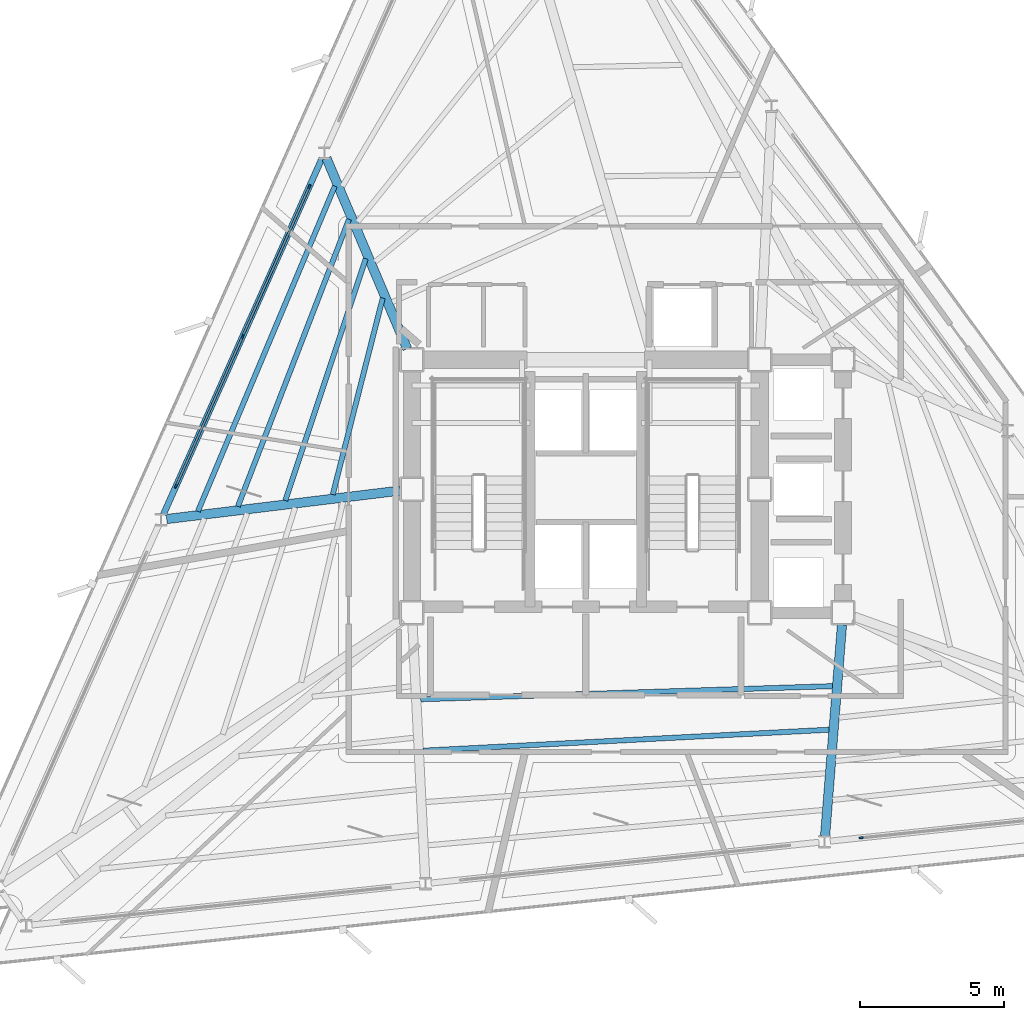
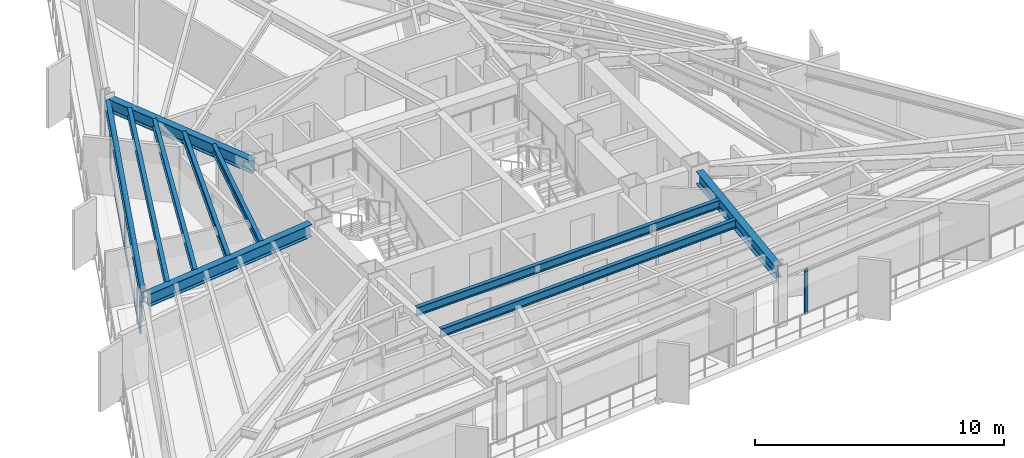
# One storey, part 3 of 12: 10 beams, 8 members, 2 elements without a shape of their own.
"""IFC4 building model written with IfcOpenShell, lengths in metres."""

from ifc_helpers import new_model, si_unit, direction, frame, origin, origin_2d, place, context, subcontext, project, spatial, rectangle, i_section, extrude, material, layer, layer_set, material_profile, profile_set, type_object, element, aggregate, save


model = new_model("IFC4")

# Units and contexts
model_context = context("Model", 3, precision=1e-05, world=origin(), true_north=direction((0.0, 1.0)))
body_context = subcontext(model_context, "Body", "Model", "MODEL_VIEW")
ifc_project = project(units=[si_unit("LENGTHUNIT", "METRE"), si_unit("AREAUNIT", "SQUARE_METRE"), si_unit("VOLUMEUNIT", "CUBIC_METRE"), si_unit("PLANEANGLEUNIT", "RADIAN"), si_unit("MASSUNIT", "GRAM", prefix="KILO")], contexts=[model_context])

# Site, building, storey
site_placement = place(None, origin())
site = spatial("IfcSite", under=ifc_project, at=site_placement, CompositionType="ELEMENT")
building_placement = place(site_placement, origin())
building = spatial("IfcBuilding", under=site, at=building_placement, Name="Rocaltana Carrier Exchange", CompositionType="ELEMENT")
storey_placement = place(building_placement, frame((0.0, 0.0, 113.760009765625)))
storey = spatial("IfcBuildingStorey", under=building, at=storey_placement, Name="L35", CompositionType="ELEMENT", Elevation=113.760009765625)

# Curtain wall, members
ifc_material_1 = material(Name="Aluminium 6063-T6", Category="aluminium")
ifc_layer = layer(ifc_material_1, 0.14990234375)
ifc_layer_set = layer_set([ifc_layer], Name="Aluminium 6063-T6")
curtain_wall_type = type_object("IfcCurtainWallType", Name="Mid-Tower Unitised Curtain Wall CW-03", PredefinedType="NOTDEFINED", material=ifc_layer_set)
curtain_wall_1_placement = place(storey_placement, origin())
curtain_wall_1 = element("IfcCurtainWall", 1, at=curtain_wall_1_placement, inside=storey, type_object=curtain_wall_type, Name="L35 CW-03 Run CW-L35-F2S2", PredefinedType="NOTDEFINED")
ifc_material_2 = material(Name="Aluminium 6063-T6", Category="aluminium")
ifc_material_profile_1 = material_profile(ifc_material_2, rectangle(XDim=0.06005859375, YDim=0.14990234375, at=origin_2d()), Name="AL-60X150")
ifc_profile_set_1 = profile_set([ifc_material_profile_1], Name="Aluminium 6063-T6")
member_type_1 = type_object("IfcMemberType", Name="CW-03 Mullion AL-60X150", PredefinedType="MULLION", material=ifc_profile_set_1)
member_1_placement = place(storey_placement, frame((-9.61865234375, 10.525634765625, 0.0), z_axis=(0.0, 0.0, 1.0), x_axis=(0.913542348315, -0.406743626669, 0.0)))
member_1 = element("IfcMember", 2, at=member_1_placement, type_object=member_type_1, Name="CW-03 mullion 1", PredefinedType="MULLION", context=body_context, shape_type="SweptSolid", body=[
    extrude(rectangle(XDim=0.06005859375, YDim=0.14990234375, at=origin_2d()), origin(), (0.0, 0.0, 1.0), 2.218017578125),
])
member_2_placement = place(storey_placement, frame((-11.9384765625, 5.3154296875, 0.0), z_axis=(0.0, 0.0, 1.0), x_axis=(0.913542348315, -0.406743626669, 0.0)))
member_2 = element("IfcMember", 3, at=member_2_placement, type_object=member_type_1, Name="CW-03 mullion 2", PredefinedType="MULLION", context=body_context, shape_type="SweptSolid", body=[
    extrude(rectangle(XDim=0.06005859375, YDim=0.14990234375, at=origin_2d()), origin(), (0.0, 0.0, 1.0), 2.218017578125),
])
member_3_placement = place(storey_placement, frame((-14.25830078125, 0.105224609375, 0.0), z_axis=(0.0, 0.0, 1.0), x_axis=(0.913542348315, -0.406743626669, 0.0)))
member_3 = element("IfcMember", 4, at=member_3_placement, type_object=member_type_1, Name="CW-03 mullion 3", PredefinedType="MULLION", context=body_context, shape_type="SweptSolid", body=[
    extrude(rectangle(XDim=0.06005859375, YDim=0.14990234375, at=origin_2d()), origin(), (0.0, 0.0, 1.0), 2.218017578125),
])

# Curtain wall, member
curtain_wall_2_placement = place(storey_placement, origin())
curtain_wall_2 = element("IfcCurtainWall", 5, at=curtain_wall_2_placement, inside=storey, type_object=curtain_wall_type, Name="L35 CW-03 Run CW-L35-F3S3", PredefinedType="NOTDEFINED")
member_4_placement = place(storey_placement, frame((9.584228515625, -12.1328125, 0.0), z_axis=(0.0, 0.0, 1.0), x_axis=(-0.104521806959, 0.994522594952, 0.0)))
member_4 = element("IfcMember", 6, at=member_4_placement, type_object=member_type_1, Name="CW-03 mullion 1", PredefinedType="MULLION", context=body_context, shape_type="SweptSolid", body=[
    extrude(rectangle(XDim=0.06005859375, YDim=0.14990234375, at=origin_2d()), origin(), (0.0, 0.0, 1.0), 2.218017578125),
])
aggregate(curtain_wall_2, [member_4])

# Member
ifc_material_3 = material(Name="Aluminium 6063-T6", Category="aluminium")
ifc_material_profile_2 = material_profile(ifc_material_3, rectangle(XDim=0.06005859375, YDim=0.14990234375, at=origin_2d()), Name="AL-60X150")
ifc_profile_set_2 = profile_set([ifc_material_profile_2], Name="Aluminium 6063-T6")
member_type_2 = type_object("IfcMemberType", Name="CW-03 Transom AL-60X150", PredefinedType="USERDEFINED", material=ifc_profile_set_2)
member_5_placement = place(storey_placement, frame((-9.630859375, 10.498291015625, 0.030029296875), z_axis=(-0.406740464784, -0.913543756099, 0.0), x_axis=(0.913543756099, -0.406740464784, 0.0)))
member_5 = element("IfcMember", 7, at=member_5_placement, type_object=member_type_2, Name="CW-03 transom 1.1", ObjectType="TRANSOM", PredefinedType="USERDEFINED", context=body_context, shape_type="SweptSolid", body=[
    extrude(rectangle(XDim=0.06005859375, YDim=0.14990234375, at=origin_2d()), origin(), (0.0, 0.0, 1.0), 5.643310546875),
])

member_6_placement = place(storey_placement, frame((-9.630859375, 10.498291015625, 2.18798828125), z_axis=(-0.406740464784, -0.913543756099, 0.0), x_axis=(0.913543756099, -0.406740464784, 0.0)))
member_6 = element("IfcMember", 8, at=member_6_placement, type_object=member_type_2, Name="CW-03 transom 1.2", ObjectType="TRANSOM", PredefinedType="USERDEFINED", context=body_context, shape_type="SweptSolid", body=[
    extrude(rectangle(XDim=0.06005859375, YDim=0.14990234375, at=origin_2d()), origin(), (0.0, 0.0, 1.0), 5.643310546875),
])

member_7_placement = place(storey_placement, frame((-11.95068359375, 5.287841796875, 0.030029296875), z_axis=(-0.406756540093, -0.91353659866, 0.0), x_axis=(0.91353659866, -0.406756540093, 0.0)))
member_7 = element("IfcMember", 9, at=member_7_placement, type_object=member_type_2, Name="CW-03 transom 2.1", ObjectType="TRANSOM", PredefinedType="USERDEFINED", context=body_context, shape_type="SweptSolid", body=[
    extrude(rectangle(XDim=0.06005859375, YDim=0.14990234375, at=origin_2d()), origin(), (0.0, 0.0, 1.0), 5.643310546875),
])

member_8_placement = place(storey_placement, frame((-11.95068359375, 5.287841796875, 2.18798828125), z_axis=(-0.406756540093, -0.91353659866, 0.0), x_axis=(0.91353659866, -0.406756540093, 0.0)))
member_8 = element("IfcMember", 10, at=member_8_placement, type_object=member_type_2, Name="CW-03 transom 2.2", ObjectType="TRANSOM", PredefinedType="USERDEFINED", context=body_context, shape_type="SweptSolid", body=[
    extrude(rectangle(XDim=0.06005859375, YDim=0.14990234375, at=origin_2d()), origin(), (0.0, 0.0, 1.0), 5.643310546875),
])

aggregate(curtain_wall_1, [member_1, member_2, member_3, member_5, member_6, member_7, member_8])

# Beams
ifc_material_4 = material(Name="Steel S355", Category="steel")
ifc_material_profile_3 = material_profile(ifc_material_4, i_section(OverallWidth=0.179931640625, OverallDepth=0.4130859375, WebThickness=0.009765625, FlangeThickness=0.01611328125, FilletRadius=0.012939453125, at=origin_2d()), Name="W16X50")
ifc_profile_set_3 = profile_set([ifc_material_profile_3], Name="Steel S355")
beam_type_1 = type_object("IfcBeamType", Name="Floor Joist W16X50", PredefinedType="JOIST", material=ifc_profile_set_3)
beam_1_placement = place(storey_placement, frame((-7.06396484375, 6.651123046875, 2.58154296875), z_axis=(-0.246610770256, -0.96911461035, 0.0), x_axis=(0.96911461035, -0.246610770256, 0.0)))
element("IfcBeam", 11, at=beam_1_placement, inside=storey, type_object=beam_type_1, Name="FJ-L35-06-1", PredefinedType="JOIST", context=body_context, shape_type="SweptSolid", body=[
    extrude(i_section(OverallWidth=0.179931640625, OverallDepth=0.4130859375, WebThickness=0.009765625, FlangeThickness=0.01611328125, FilletRadius=0.012939453125, at=origin_2d()), origin(), (0.0, 0.0, 1.0), 7.05859375),
])
beam_2_placement = place(storey_placement, frame((-7.65380859375, 8.021484375, 2.58154296875), z_axis=(-0.315534018632, -0.948914265403, 0.0), x_axis=(0.948914265403, -0.315534018632, 0.0)))
element("IfcBeam", 12, at=beam_2_placement, inside=storey, type_object=beam_type_1, Name="FJ-L35-06-2", PredefinedType="JOIST", context=body_context, shape_type="SweptSolid", body=[
    extrude(i_section(OverallWidth=0.179931640625, OverallDepth=0.4130859375, WebThickness=0.009765625, FlangeThickness=0.01611328125, FilletRadius=0.012939453125, at=origin_2d()), origin(), (0.0, 0.0, 1.0), 8.869384765625),
])
beam_3_placement = place(storey_placement, frame((-8.239990234375, 9.390869140625, 2.58154296875), z_axis=(-0.360736399808, -0.93266781324, 0.0), x_axis=(0.93266781324, -0.360736399808, 0.0)))
element("IfcBeam", 13, at=beam_3_placement, inside=storey, type_object=beam_type_1, Name="FJ-L35-06-3", PredefinedType="JOIST", context=body_context, shape_type="SweptSolid", body=[
    extrude(i_section(OverallWidth=0.179931640625, OverallDepth=0.4130859375, WebThickness=0.009765625, FlangeThickness=0.01611328125, FilletRadius=0.012939453125, at=origin_2d()), origin(), (0.0, 0.0, 1.0), 10.71142578125),
])
beam_4_placement = place(storey_placement, frame((-8.73193359375, 10.543701171875, 2.58154296875), z_axis=(-0.388065001022, -0.92163200627, 0.0), x_axis=(0.92163200627, -0.388065001022, 0.0)))
element("IfcBeam", 14, at=beam_4_placement, inside=storey, type_object=beam_type_1, Name="FJ-L35-06-4", PredefinedType="JOIST", context=body_context, shape_type="SweptSolid", body=[
    extrude(i_section(OverallWidth=0.179931640625, OverallDepth=0.4130859375, WebThickness=0.009765625, FlangeThickness=0.01611328125, FilletRadius=0.012939453125, at=origin_2d()), origin(), (0.0, 0.0, 1.0), 12.27734375),
])
beam_5_placement = place(storey_placement, frame((-5.743408203125, -7.3115234375, 2.58154296875), z_axis=(0.999491466451, 0.031887434705, 0.0), x_axis=(-0.031887434705, 0.999491466451, 0.0)))
element("IfcBeam", 15, at=beam_5_placement, inside=storey, type_object=beam_type_1, Name="FJ-L35-10-1", PredefinedType="JOIST", context=body_context, shape_type="SweptSolid", body=[
    extrude(i_section(OverallWidth=0.179931640625, OverallDepth=0.4130859375, WebThickness=0.009765625, FlangeThickness=0.01611328125, FilletRadius=0.012939453125, at=origin_2d()), origin(), (0.0, 0.0, 1.0), 14.34033203125),
])
beam_6_placement = place(storey_placement, frame((-5.654052734375, -9.099609375, 2.58154296875), z_axis=(0.998672130868, 0.051516745125, 0.0), x_axis=(-0.051516745125, 0.998672130868, 0.0)))
element("IfcBeam", 16, at=beam_6_placement, inside=storey, type_object=beam_type_1, Name="FJ-L35-10-2", PredefinedType="JOIST", context=body_context, shape_type="SweptSolid", body=[
    extrude(i_section(OverallWidth=0.179931640625, OverallDepth=0.4130859375, WebThickness=0.009765625, FlangeThickness=0.01611328125, FilletRadius=0.012939453125, at=origin_2d()), origin(), (0.0, 0.0, 1.0), 14.141357421875),
])
ifc_material_5 = material(Name="Steel S355", Category="steel")
ifc_material_profile_4 = material_profile(ifc_material_5, i_section(OverallWidth=0.323974609375, OverallDepth=0.611083984375, WebThickness=0.0126953125, FlangeThickness=0.01904296875, FilletRadius=0.01611328125, at=origin_2d()), Name="W24X104")
ifc_profile_set_4 = profile_set([ifc_material_profile_4], Name="Steel S355")
beam_type_2 = type_object("IfcBeamType", Name="Radial Girder W24X104", PredefinedType="BEAM", material=ifc_profile_set_4)
beam_7_placement = place(storey_placement, frame((-6.212646484375, 4.884033203125, 2.482421875), z_axis=(-0.39010127794, 0.920771954911, 0.0), x_axis=(-0.920771954911, -0.39010127794, 0.0)))
element("IfcBeam", 17, at=beam_7_placement, inside=storey, type_object=beam_type_2, Name="RG-L35-06", PredefinedType="BEAM", context=body_context, shape_type="SweptSolid", body=[
    extrude(i_section(OverallWidth=0.323974609375, OverallDepth=0.611083984375, WebThickness=0.0126953125, FlangeThickness=0.01904296875, FilletRadius=0.01611328125, at=origin_2d()), origin(), (0.0, 0.0, 1.0), 7.198974609375),
])
beam_8_placement = place(storey_placement, frame((-6.4638671875, -0.050537109375, 2.482421875), z_axis=(-0.99265077601, -0.121014201177, 0.0), x_axis=(0.121014201177, -0.99265077601, 0.0)))
element("IfcBeam", 18, at=beam_8_placement, inside=storey, type_object=beam_type_2, Name="RG-L35-07", PredefinedType="BEAM", context=body_context, shape_type="SweptSolid", body=[
    extrude(i_section(OverallWidth=0.323974609375, OverallDepth=0.611083984375, WebThickness=0.0126953125, FlangeThickness=0.01904296875, FilletRadius=0.01611328125, at=origin_2d()), origin(), (0.0, 0.0, 1.0), 8.1787109375),
])
beam_9_placement = place(storey_placement, frame((8.916748046875, -4.7158203125, 2.482421875), z_axis=(-0.079955676703, -0.996798419824, 0.0), x_axis=(0.996798419824, -0.079955676703, 0.0)))
element("IfcBeam", 19, at=beam_9_placement, inside=storey, type_object=beam_type_2, Name="RG-L35-11", PredefinedType="BEAM", context=body_context, shape_type="SweptSolid", body=[
    extrude(i_section(OverallWidth=0.323974609375, OverallDepth=0.611083984375, WebThickness=0.0126953125, FlangeThickness=0.01904296875, FilletRadius=0.01611328125, at=origin_2d()), origin(), (0.0, 0.0, 1.0), 7.377197265625),
])
ifc_material_6 = material(Name="Steel S355", Category="steel")
ifc_material_profile_5 = material_profile(ifc_material_6, i_section(OverallWidth=0.2119140625, OverallDepth=0.5439453125, WebThickness=0.01318359375, FlangeThickness=0.021240234375, FilletRadius=0.014892578125, at=origin_2d()), Name="W21X83")
ifc_profile_set_5 = profile_set([ifc_material_profile_5], Name="Steel S355")
beam_type_3 = type_object("IfcBeamType", Name="Spandrel Edge Beam W21X83", PredefinedType="SPANDREL", material=ifc_profile_set_5)
beam_10_placement = place(storey_placement, frame((-9.1787109375, 11.513916015625, 2.515869140625), z_axis=(-0.406747642326, -0.913540560382, 0.0), x_axis=(0.913540560382, -0.406747642326, 0.0)))
element("IfcBeam", 20, at=beam_10_placement, inside=storey, type_object=beam_type_3, Name="SP-L35-06", PredefinedType="SPANDREL", context=body_context, shape_type="SweptSolid", body=[
    extrude(i_section(OverallWidth=0.2119140625, OverallDepth=0.5439453125, WebThickness=0.01318359375, FlangeThickness=0.021240234375, FilletRadius=0.014892578125, at=origin_2d()), origin(), (0.0, 0.0, 1.0), 13.570556640625),
])

save(model, "model.ifc")
